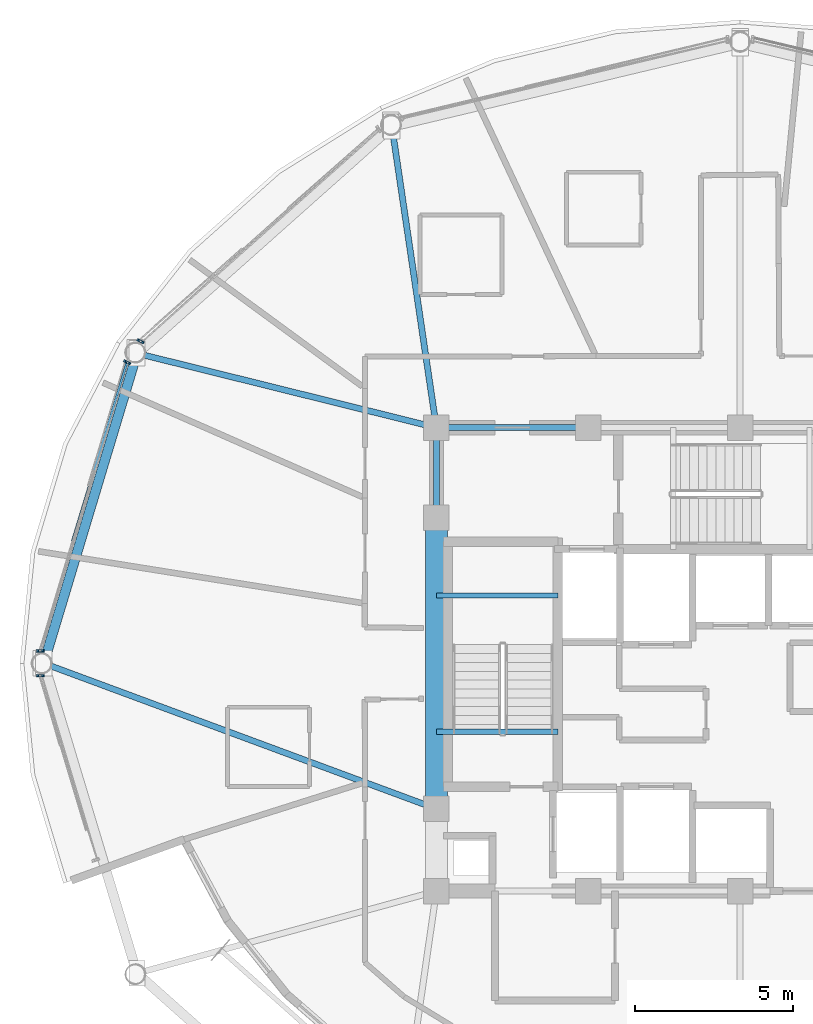
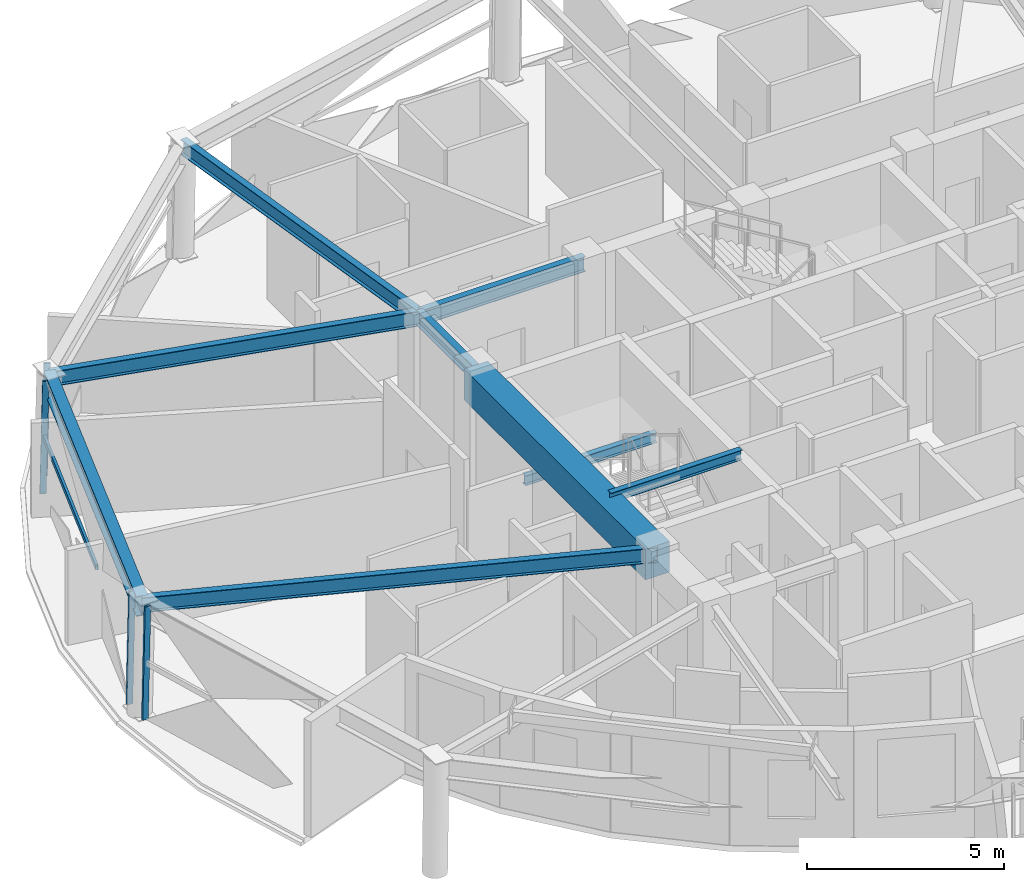
# One storey, part 4 of 18: 9 beams, 5 members, 3 elements without a shape of their own.
"""IFC4 building model written with IfcOpenShell, lengths in metres."""

from ifc_helpers import new_model, si_unit, direction, frame, origin, origin_2d, place, context, subcontext, project, spatial, rectangle, hollow_rectangle, i_section, extrude, material, layer, layer_set, material_profile, profile_set, type_object, element, aggregate, save


model = new_model("IFC4")

# Units and contexts
model_context = context("Model", 3, precision=1e-05, world=origin(), true_north=direction((0.0, 1.0)))
body_context = subcontext(model_context, "Body", "Model", "MODEL_VIEW")
ifc_project = project(units=[si_unit("LENGTHUNIT", "METRE"), si_unit("AREAUNIT", "SQUARE_METRE"), si_unit("VOLUMEUNIT", "CUBIC_METRE"), si_unit("PLANEANGLEUNIT", "RADIAN"), si_unit("MASSUNIT", "GRAM", prefix="KILO")], contexts=[model_context])

# Site, building, storey
site_placement = place(None, origin())
site = spatial("IfcSite", under=ifc_project, at=site_placement, CompositionType="ELEMENT")
building_placement = place(site_placement, origin())
building = spatial("IfcBuilding", under=site, at=building_placement, Name="Vantalir Tower", CompositionType="ELEMENT")
storey_placement = place(building_placement, frame((0.0, 0.0, 216.14990234375)))
storey = spatial("IfcBuildingStorey", under=building, at=storey_placement, Name="L54", CompositionType="ELEMENT", Elevation=216.14990234375)

# Beams
ifc_material_1 = material(Name="Concrete C60/75", Category="concrete")
ifc_material_profile_1 = material_profile(ifc_material_1, rectangle(XDim=0.699951171875, YDim=0.949951171875, at=origin_2d()), Name="Concrete C60/75")
ifc_profile_set_1 = profile_set([ifc_material_profile_1], Name="Concrete C60/75")
beam_type_1 = type_object("IfcBeamType", Name="BM-CB-700x950", PredefinedType="USERDEFINED", material=ifc_profile_set_1)
beam_1_placement = place(storey_placement, frame((21.89990234375, 29.60009765625, 3.09521484375), z_axis=(0.0, -1.0, 0.0), x_axis=(1.0, 0.0, 0.0)))
element("IfcBeam", 1, at=beam_1_placement, inside=storey, type_object=beam_type_1, Name="L54 Core Coupling Girder 13", ObjectType="GIRDER", PredefinedType="USERDEFINED", context=body_context, shape_type="SweptSolid", body=[
    extrude(rectangle(XDim=0.699951171875, YDim=0.949951171875, at=origin_2d()), origin(), (0.0, 0.0, 1.0), 9.2001953125),
])
ifc_material_2 = material(Name="Steel S355", Category="steel")
ifc_material_profile_2 = material_profile(ifc_material_2, i_section(OverallWidth=0.166015625, OverallDepth=0.306884765625, WebThickness=0.006591796875, FlangeThickness=0.01171875, at=origin_2d()), Name="Steel S355")
ifc_profile_set_2 = profile_set([ifc_material_profile_2], Name="Steel S355")
beam_type_2 = type_object("IfcBeamType", Name="BM-JS-305x165", PredefinedType="JOIST", material=ifc_profile_set_2)
for number, where, z_axis, x_axis, name in (
    (2, (21.89990234375, 22.8349609375, 3.59619140625), (1.0, 0.0, 0.0), (0.0, 1.0, 0.0), "L55 Stair ST1 Well Nosing Trimmer Beam"),
    (3, (21.89990234375, 27.14501953125, 1.52099609375), (1.0, 0.0, 0.0), (0.0, 1.0, 0.0), "L54 Stair ST1 Half-Landing Support Beam"),
):
    element("IfcBeam", number, at=place(storey_placement, frame(where, z_axis=z_axis, x_axis=x_axis)), inside=storey, type_object=beam_type_2, Name=name, PredefinedType="JOIST", context=body_context, shape_type="SweptSolid", body=[
        extrude(i_section(OverallWidth=0.166015625, OverallDepth=0.306884765625, WebThickness=0.006591796875, FlangeThickness=0.01171875, at=origin_2d()), origin(), (0.0, 0.0, 1.0), 3.840087890625),
    ])
ifc_material_profile_3 = material_profile(ifc_material_2, i_section(OverallWidth=0.19189453125, OverallDepth=0.462890625, WebThickness=0.010498046875, FlangeThickness=0.017578125, at=origin_2d()), Name="Steel S355")
ifc_profile_set_3 = profile_set([ifc_material_profile_3], Name="Steel S355")
beam_type_3 = type_object("IfcBeamType", Name="BM-RB-457x191", PredefinedType="BEAM", material=ifc_profile_set_3)
beam_2_placement = place(storey_placement, frame((26.699951171875, 32.449951171875, 3.338134765625), z_axis=(-1.0, 0.0, 0.0), x_axis=(0.0, -1.0, 0.0)))
element("IfcBeam", 4, at=beam_2_placement, inside=storey, type_object=beam_type_3, Name="L54 Core Coupling Girder 11", PredefinedType="BEAM", context=body_context, shape_type="SweptSolid", body=[
    extrude(i_section(OverallWidth=0.19189453125, OverallDepth=0.462890625, WebThickness=0.010498046875, FlangeThickness=0.017578125, at=origin_2d()), origin(), (0.0, 0.0, 1.0), 4.800048828125),
])
beam_3_placement = place(storey_placement, frame((21.89990234375, 32.449951171875, 3.338134765625), z_axis=(0.0, -1.0, 0.0), x_axis=(1.0, 0.0, 0.0)))
element("IfcBeam", 5, at=beam_3_placement, inside=storey, type_object=beam_type_3, Name="L54 Core Coupling Girder 12", PredefinedType="BEAM", context=body_context, shape_type="SweptSolid", body=[
    extrude(i_section(OverallWidth=0.19189453125, OverallDepth=0.462890625, WebThickness=0.010498046875, FlangeThickness=0.017578125, at=origin_2d()), origin(), (0.0, 0.0, 1.0), 2.849853515625),
])
beam_4_placement = place(storey_placement, frame((20.493896484375, 41.970947265625, 3.338134765625), z_axis=(0.146089890003, -0.989271319729, 0.0), x_axis=(0.989271319729, 0.146089890003, 0.0)))
element("IfcBeam", 6, at=beam_4_placement, inside=storey, type_object=beam_type_3, Name="L54 Radial Floor Beam 05", PredefinedType="BEAM", context=body_context, shape_type="SweptSolid", body=[
    extrude(i_section(OverallWidth=0.19189453125, OverallDepth=0.462890625, WebThickness=0.010498046875, FlangeThickness=0.017578125, at=origin_2d()), origin(), (0.0, 0.0, 1.0), 9.624267578125),
])
beam_5_placement = place(storey_placement, frame((12.43603515625, 34.798095703125, 3.338134765625), z_axis=(0.970571038556, -0.240814989393, 0.0), x_axis=(0.240814989393, 0.970571038556, 0.0)))
element("IfcBeam", 7, at=beam_5_placement, inside=storey, type_object=beam_type_3, Name="L54 Radial Floor Beam 06", PredefinedType="BEAM", context=body_context, shape_type="SweptSolid", body=[
    extrude(i_section(OverallWidth=0.19189453125, OverallDepth=0.462890625, WebThickness=0.010498046875, FlangeThickness=0.017578125, at=origin_2d()), origin(), (0.0, 0.0, 1.0), 9.750732421875),
])
beam_6_placement = place(storey_placement, frame((9.487060546875, 25.0, 3.338134765625), z_axis=(0.937681112374, -0.34749695178, 0.0), x_axis=(0.34749695178, 0.937681112374, 0.0)))
element("IfcBeam", 8, at=beam_6_placement, inside=storey, type_object=beam_type_3, Name="L54 Radial Floor Beam 07", PredefinedType="BEAM", context=body_context, shape_type="SweptSolid", body=[
    extrude(i_section(OverallWidth=0.19189453125, OverallDepth=0.462890625, WebThickness=0.010498046875, FlangeThickness=0.017578125, at=origin_2d()), origin(), (0.0, 0.0, 1.0), 13.23779296875),
])
ifc_material_3 = material(Name="Steel S460", Category="steel")
ifc_material_profile_4 = material_profile(ifc_material_3, i_section(OverallWidth=0.306884765625, OverallDepth=0.6201171875, WebThickness=0.01416015625, FlangeThickness=0.023681640625, at=origin_2d()), Name="Steel S460")
ifc_profile_set_4 = profile_set([ifc_material_profile_4], Name="Steel S460")
beam_type_4 = type_object("IfcBeamType", Name="BM-RG-610x305", PredefinedType="USERDEFINED", material=ifc_profile_set_4)
beam_7_placement = place(storey_placement, frame((12.43603515625, 34.798095703125, 3.260009765625), z_axis=(-0.288203662464, -0.957569135333, 0.0), x_axis=(0.957569135333, -0.288203662464, 0.0)))
element("IfcBeam", 9, at=beam_7_placement, inside=storey, type_object=beam_type_4, Name="L54 Circumferential Ring Girder 06", ObjectType="GIRDER", PredefinedType="USERDEFINED", context=body_context, shape_type="SweptSolid", body=[
    extrude(i_section(OverallWidth=0.306884765625, OverallDepth=0.6201171875, WebThickness=0.01416015625, FlangeThickness=0.023681640625, at=origin_2d()), origin(), (0.0, 0.0, 1.0), 10.232177734375),
])

# Curtain wall, member
ifc_material_4 = material(Name="Champagne-silver PVDF aluminium and double-silver Low-E glass", Category="aluminium")
ifc_layer = layer(ifc_material_4, 0.2099609375)
ifc_layer_set = layer_set([ifc_layer], Name="Champagne-silver PVDF aluminium and double-silver Low-E glass")
curtain_wall_type = type_object("IfcCurtainWallType", Name="CW-DIAMOND-Z3", PredefinedType="USERDEFINED", material=ifc_layer_set)
curtain_wall_1_placement = place(storey_placement, origin())
curtain_wall_1 = element("IfcCurtainWall", 10, at=curtain_wall_1_placement, inside=storey, type_object=curtain_wall_type, Name="L54 Quilted Pyramid-Diamond Curtain Wall S05", ObjectType="UNITISED CURTAIN WALL", PredefinedType="USERDEFINED")
ifc_material_5 = material(Name="Champagne-silver PVDF aluminium 6063-T6", Category="aluminium")
ifc_material_profile_5 = material_profile(ifc_material_5, hollow_rectangle(XDim=0.070068359375, YDim=0.1650390625, WallThickness=0.00390625, at=origin_2d()), Name="Champagne-silver PVDF aluminium 6063-T6")
ifc_profile_set_5 = profile_set([ifc_material_profile_5], Name="Champagne-silver PVDF aluminium 6063-T6")
member_type_1 = type_object("IfcMemberType", Name="CWM-165x70", PredefinedType="MULLION", material=ifc_profile_set_5)
member_1_placement = place(storey_placement, frame((12.513916015625, 35.197998046875, 0.045166015625), z_axis=(0.018376925349, -0.009188462674, 0.999788908104), x_axis=(0.4472135955, 0.894427191, 0.0)))
member_1 = element("IfcMember", 11, at=member_1_placement, type_object=member_type_1, Name="CW-L54-S05 Mullion 2", PredefinedType="MULLION", context=body_context, shape_type="SweptSolid", body=[
    extrude(hollow_rectangle(XDim=0.070068359375, YDim=0.1650390625, WallThickness=0.00390625, at=origin_2d()), origin(), (0.0, 0.0, 1.0), 3.480712890625),
])
aggregate(curtain_wall_1, [member_1])

# Curtain wall, members
curtain_wall_2_placement = place(storey_placement, origin())
curtain_wall_2 = element("IfcCurtainWall", 12, at=curtain_wall_2_placement, inside=storey, type_object=curtain_wall_type, Name="L54 Quilted Pyramid-Diamond Curtain Wall S06", ObjectType="UNITISED CURTAIN WALL", PredefinedType="USERDEFINED")
member_2_placement = place(storey_placement, frame((12.090087890625, 34.531982421875, 0.045166015625), z_axis=(0.018376925349, -0.009188462674, 0.999788908104), x_axis=(0.4472135955, 0.894427191, 0.0)))
member_2 = element("IfcMember", 13, at=member_2_placement, type_object=member_type_1, Name="CW-L54-S06 Mullion 1", PredefinedType="MULLION", context=body_context, shape_type="SweptSolid", body=[
    extrude(hollow_rectangle(XDim=0.070068359375, YDim=0.1650390625, WallThickness=0.00390625, at=origin_2d()), origin(), (0.0, 0.0, 1.0), 3.480712890625),
])
member_3_placement = place(storey_placement, frame((9.341064453125, 25.39306640625, 0.045166015625), z_axis=(0.021252389867, 0.0, 0.999774142457), x_axis=(0.0, 1.0, 0.0)))
member_3 = element("IfcMember", 14, at=member_3_placement, type_object=member_type_1, Name="CW-L54-S06 Mullion 2", PredefinedType="MULLION", context=body_context, shape_type="SweptSolid", body=[
    extrude(hollow_rectangle(XDim=0.070068359375, YDim=0.1650390625, WallThickness=0.00390625, at=origin_2d()), origin(), (0.0, 0.0, 1.0), 3.480712890625),
])

# Curtain wall, member
curtain_wall_3_placement = place(storey_placement, origin())
curtain_wall_3 = element("IfcCurtainWall", 15, at=curtain_wall_3_placement, inside=storey, type_object=curtain_wall_type, Name="L54 Quilted Pyramid-Diamond Curtain Wall S07", ObjectType="UNITISED CURTAIN WALL", PredefinedType="USERDEFINED")
member_4_placement = place(storey_placement, frame((9.341064453125, 24.60693359375, 0.045166015625), z_axis=(0.021252389867, 0.0, 0.999774142457), x_axis=(0.0, 1.0, 0.0)))
member_4 = element("IfcMember", 16, at=member_4_placement, type_object=member_type_1, Name="CW-L54-S07 Mullion 1", PredefinedType="MULLION", context=body_context, shape_type="SweptSolid", body=[
    extrude(hollow_rectangle(XDim=0.070068359375, YDim=0.1650390625, WallThickness=0.00390625, at=origin_2d()), origin(), (0.0, 0.0, 1.0), 3.480712890625),
])
aggregate(curtain_wall_3, [member_4])

# Member
ifc_material_profile_6 = material_profile(ifc_material_5, hollow_rectangle(XDim=0.074951171875, YDim=0.159912109375, WallThickness=0.00390625, at=origin_2d()), Name="Champagne-silver PVDF aluminium 6063-T6")
ifc_profile_set_6 = profile_set([ifc_material_profile_6], Name="Champagne-silver PVDF aluminium 6063-T6")
member_type_2 = type_object("IfcMemberType", Name="CWT-160x75", PredefinedType="USERDEFINED", material=ifc_profile_set_6)
member_5_placement = place(storey_placement, frame((12.1220703125, 34.51611328125, 1.78515625), z_axis=(-0.29191938659, -0.956442926542, 0.0), x_axis=(0.956442926542, -0.29191938659, 0.0)))
member_5 = element("IfcMember", 17, at=member_5_placement, type_object=member_type_2, Name="CW-L54-S06 Pyramid Fold Ridge Transom", ObjectType="TRANSOM", PredefinedType="USERDEFINED", context=body_context, shape_type="SweptSolid", body=[
    extrude(hollow_rectangle(XDim=0.074951171875, YDim=0.159912109375, WallThickness=0.00390625, at=origin_2d()), origin(), (0.0, 0.0, 1.0), 5.909423828125),
])

aggregate(curtain_wall_2, [member_2, member_3, member_5])

save(model, "model.ifc")
